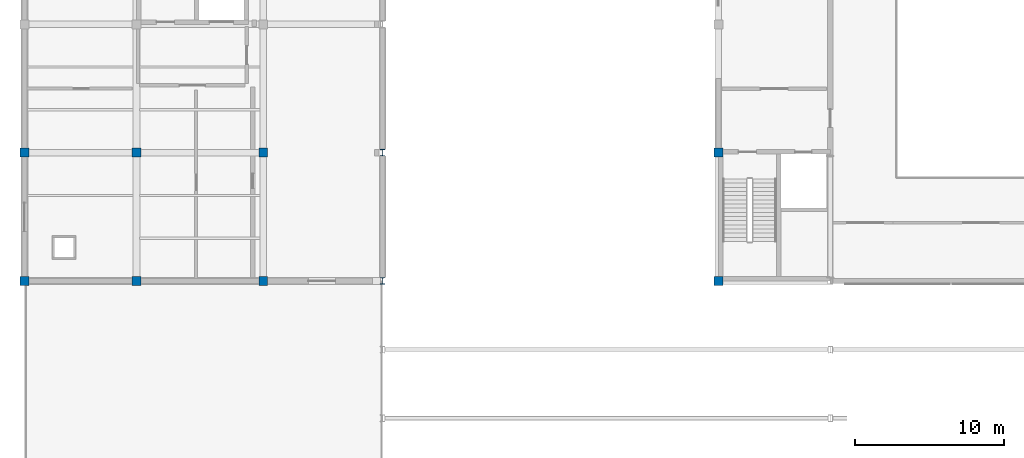
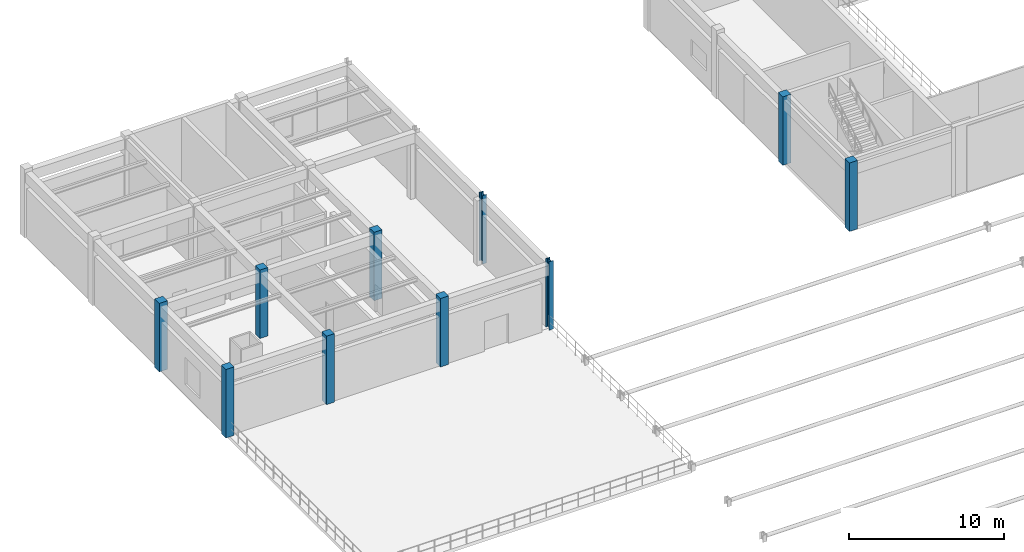
# One storey, part 1 of 38: 10 columns.
"""IFC4 building model written with IfcOpenShell, lengths in metres."""

from ifc_helpers import new_model, si_unit, direction, frame, origin, origin_2d, place, context, subcontext, project, spatial, rectangle, i_section, extrude, material, material_profile, profile_set, type_object, element, save


model = new_model("IFC4")

# Units and contexts
model_context = context("Model", 3, precision=1e-05, world=origin(), true_north=direction((0.0, 1.0)))
body_context = subcontext(model_context, "Body", "Model", "MODEL_VIEW")
ifc_project = project(units=[si_unit("LENGTHUNIT", "METRE"), si_unit("AREAUNIT", "SQUARE_METRE"), si_unit("VOLUMEUNIT", "CUBIC_METRE"), si_unit("PLANEANGLEUNIT", "RADIAN"), si_unit("MASSUNIT", "GRAM", prefix="KILO")], contexts=[model_context])

# Site, building, storey
site_placement = place(None, origin())
site = spatial("IfcSite", under=ifc_project, at=site_placement, CompositionType="ELEMENT")
building_placement = place(site_placement, origin())
building = spatial("IfcBuilding", under=site, at=building_placement, Name="Muzn Square Opera House", CompositionType="ELEMENT")
storey_placement = place(building_placement, frame((0.0, 0.0, 18.0)))
storey = spatial("IfcBuildingStorey", under=building, at=storey_placement, Name="L04", CompositionType="ELEMENT", Elevation=18.0)

# Columns
ifc_material_1 = material(Name="Concrete C45/55", Category="concrete")
ifc_material_profile_1 = material_profile(ifc_material_1, rectangle(XDim=0.60009765625, YDim=0.60009765625, at=origin_2d()), Name="RC 600x600", Category="concrete")
ifc_profile_set_1 = profile_set([ifc_material_profile_1], Name="Concrete C45/55")
column_type_1 = type_object("IfcColumnType", Name="Frame Column 600x600", PredefinedType="COLUMN", material=ifc_profile_set_1)
for number, where, z_axis, x_axis, name in (
    (1, (19.0, 72.60009765625, 0.0), (0.0, 0.0, 1.0), (1.0, 0.0, 0.0), "Column COL-L04-COL-600-190_726"),
    (2, (19.0, 81.199951171875, 0.0), (0.0, 0.0, 1.0), (1.0, 0.0, 0.0), "Column COL-L04-COL-600-190_812"),
    (3, (26.5, 72.60009765625, 0.0), (0.0, 0.0, 1.0), (1.0, 0.0, 0.0), "Column COL-L04-COL-600-265_726"),
    (4, (26.5, 81.199951171875, 0.0), (0.0, 0.0, 1.0), (1.0, 0.0, 0.0), "Column COL-L04-COL-600-265_812"),
    (5, (35.0, 72.60009765625, 0.0), (0.0, 0.0, 1.0), (1.0, 0.0, 0.0), "Column COL-L04-COL-600-350_726"),
    (6, (35.0, 81.199951171875, 0.0), (0.0, 0.0, 1.0), (1.0, 0.0, 0.0), "Column COL-L04-COL-600-350_812"),
    (7, (65.5, 72.60009765625, 0.0), (0.0, 0.0, 1.0), (1.0, 0.0, 0.0), "Column COL-L04-COL-600-655_726"),
    (8, (65.5, 81.199951171875, 0.0), (0.0, 0.0, 1.0), (1.0, 0.0, 0.0), "Column COL-L04-COL-600-655_812"),
):
    element("IfcColumn", number, at=place(storey_placement, frame(where, z_axis=z_axis, x_axis=x_axis)), inside=storey, type_object=column_type_1, Name=name, PredefinedType="COLUMN", context=body_context, shape_type="SweptSolid", body=[
        extrude(rectangle(XDim=0.60009765625, YDim=0.60009765625, at=origin_2d()), origin(), (0.0, 0.0, 1.0), 5.39990234375),
    ])
ifc_material_2 = material(Name="Steel S355", Category="steel")
ifc_material_profile_2 = material_profile(ifc_material_2, i_section(OverallWidth=0.300048828125, OverallDepth=0.449951171875, WebThickness=0.013916015625, FlangeThickness=0.02587890625, FilletRadius=0.027099609375, at=origin_2d()), Name="HEB 450", Category="steel")
ifc_profile_set_2 = profile_set([ifc_material_profile_2], Name="Steel S355")
column_type_2 = type_object("IfcColumnType", Name="Steel Gallery Column HEB450", PredefinedType="COLUMN", material=ifc_profile_set_2)
for number, where, z_axis, x_axis, name in (
    (9, (43.0, 72.60009765625, 0.0), (0.0, 0.0, 1.0), (1.0, 0.0, 0.0), "Column COL-L04-COL-HEB450-430_726"),
    (10, (43.0, 81.199951171875, 0.0), (0.0, 0.0, 1.0), (1.0, 0.0, 0.0), "Column COL-L04-COL-HEB450-430_812"),
):
    element("IfcColumn", number, at=place(storey_placement, frame(where, z_axis=z_axis, x_axis=x_axis)), inside=storey, type_object=column_type_2, Name=name, PredefinedType="COLUMN", context=body_context, shape_type="SweptSolid", body=[
        extrude(i_section(OverallWidth=0.300048828125, OverallDepth=0.449951171875, WebThickness=0.013916015625, FlangeThickness=0.02587890625, FilletRadius=0.027099609375, at=origin_2d()), origin(), (0.0, 0.0, 1.0), 5.39990234375),
    ])

save(model, "model.ifc")
